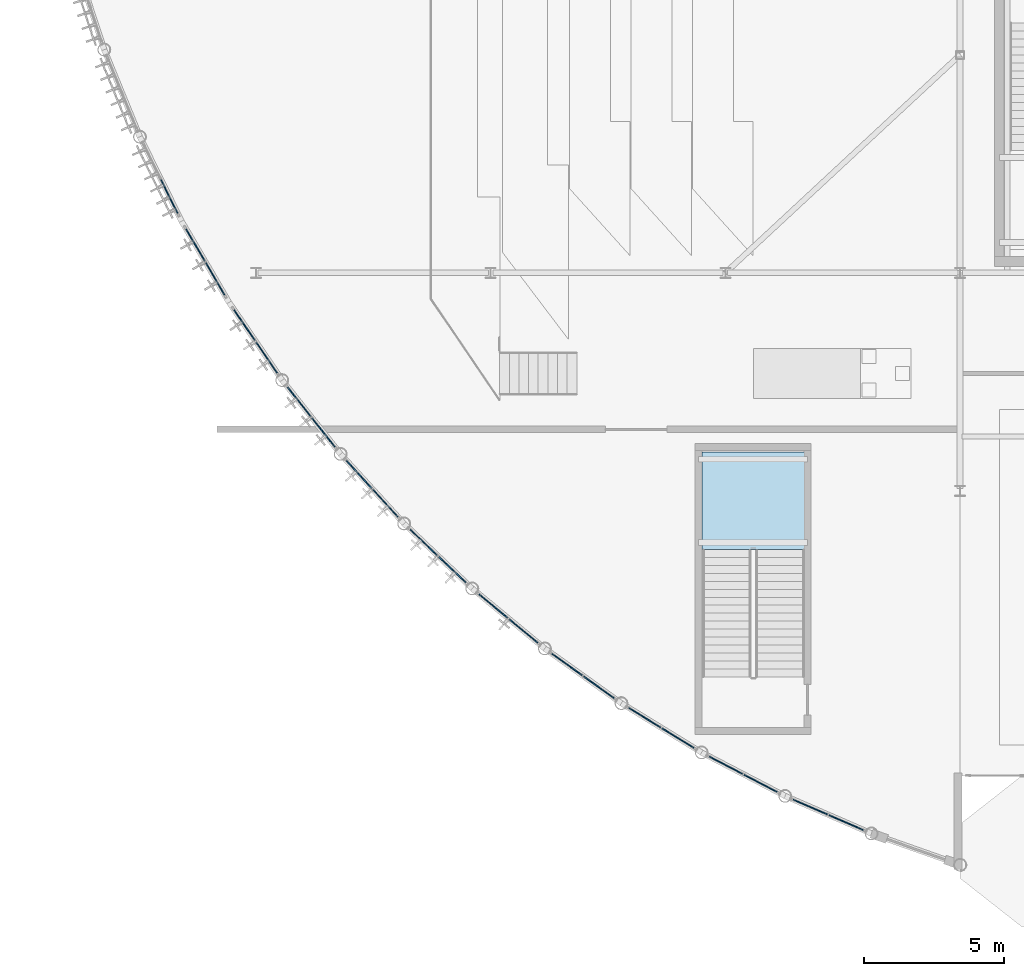
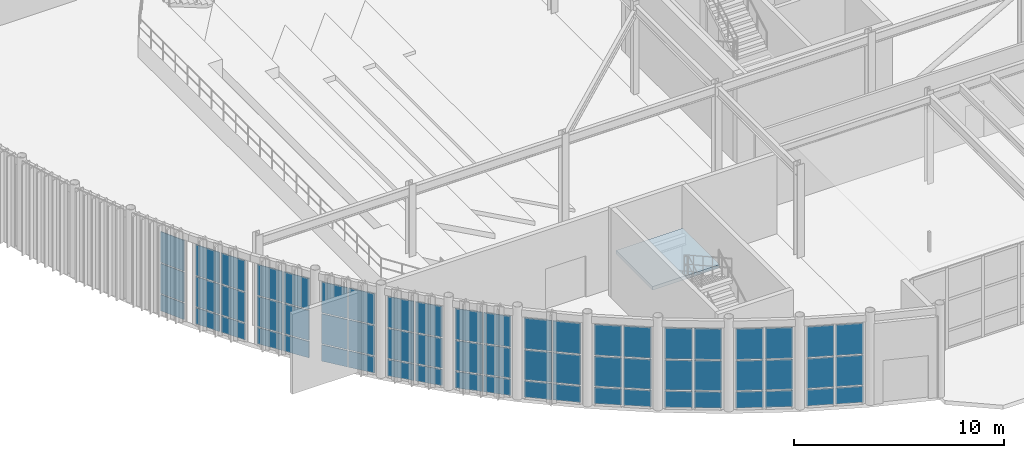
# One storey, part 54 of 87: 63 plates, 1 slab, 12 elements without a shape of their own.
"""IFC4 building model written with IfcOpenShell, lengths in metres."""

from ifc_helpers import new_model, si_unit, direction, frame, origin, origin_2d, place, context, subcontext, project, spatial, polyline, rectangle, outline, extrude, material, layer, layer_set, type_object, element, aggregate, save


model = new_model("IFC4")

# Units and contexts
model_context = context("Model", 3, precision=1e-05, world=origin(), true_north=direction((0.0, 1.0)))
body_context = subcontext(model_context, "Body", "Model", "MODEL_VIEW")
ifc_project = project(units=[si_unit("LENGTHUNIT", "METRE"), si_unit("AREAUNIT", "SQUARE_METRE"), si_unit("VOLUMEUNIT", "CUBIC_METRE"), si_unit("PLANEANGLEUNIT", "RADIAN"), si_unit("MASSUNIT", "GRAM", prefix="KILO")], contexts=[model_context])

# Site, building, storey
site_placement = place(None, origin())
site = spatial("IfcSite", under=ifc_project, at=site_placement, CompositionType="ELEMENT")
building_placement = place(site_placement, origin())
building = spatial("IfcBuilding", under=site, at=building_placement, Name="Selat Folded Stagehouse", CompositionType="ELEMENT")
storey_placement = place(building_placement, origin())
storey = spatial("IfcBuildingStorey", under=building, at=storey_placement, Name="L00", CompositionType="ELEMENT", Elevation=0.0)

# Curtain wall, plates
ifc_material_1 = material(Name="Aluminium 6063-T6", Category="aluminium")
ifc_layer_1 = layer(ifc_material_1, 0.219970703125)
ifc_layer_set_1 = layer_set([ifc_layer_1], Name="Aluminium 6063-T6")
curtain_wall_type = type_object("IfcCurtainWallType", Name="CW-DRM-HIGH", PredefinedType="NOTDEFINED", material=ifc_layer_set_1)
curtain_wall_1_placement = place(storey_placement, origin())
curtain_wall_1 = element("IfcCurtainWall", 1, at=curtain_wall_1_placement, inside=storey, type_object=curtain_wall_type, Name="L00 curtain wall CW-DRM-L00-08", PredefinedType="NOTDEFINED")
ifc_material_2 = material(Name="Solar-control acoustic triple glazing", Category="glass")
ifc_layer_2 = layer(ifc_material_2, 0.0400390625)
ifc_layer_set_2 = layer_set([ifc_layer_2], Name="Solar-control acoustic triple glazing")
plate_type = type_object("IfcPlateType", Name="CWP-GLZ-DGU40", PredefinedType="CURTAIN_PANEL", material=ifc_layer_set_2)
plate_1_placement = place(storey_placement, frame((5.2998046875, 26.128662109375, 0.06982421875), z_axis=(0.0, 0.0, 1.0), x_axis=(-0.442844653705, 0.896598356392, 0.0)))
plate_1 = element("IfcPlate", 2, at=plate_1_placement, type_object=plate_type, Name="CW-01 panel 1.1", PredefinedType="CURTAIN_PANEL", context=body_context, shape_type="SweptSolid", body=[
    extrude(rectangle(XDim=1.32958984375, YDim=0.0400390625, at=origin_2d()), origin(), (0.0, 0.0, 1.0), 0.945068359375),
])
plate_2_placement = place(storey_placement, frame((5.2998046875, 26.128662109375, 1.0849609375), z_axis=(0.0, 0.0, 1.0), x_axis=(-0.442844653705, 0.896598356392, 0.0)))
plate_2 = element("IfcPlate", 3, at=plate_2_placement, type_object=plate_type, Name="CW-01 panel 1.2", PredefinedType="CURTAIN_PANEL", context=body_context, shape_type="SweptSolid", body=[
    extrude(rectangle(XDim=1.32958984375, YDim=0.0400390625, at=origin_2d()), origin(), (0.0, 0.0, 1.0), 1.72998046875),
])
plate_3_placement = place(storey_placement, frame((5.2998046875, 26.128662109375, 2.88525390625), z_axis=(0.0, 0.0, 1.0), x_axis=(-0.442844653705, 0.896598356392, 0.0)))
plate_3 = element("IfcPlate", 4, at=plate_3_placement, type_object=plate_type, Name="CW-01 panel 1.3", PredefinedType="CURTAIN_PANEL", context=body_context, shape_type="SweptSolid", body=[
    extrude(rectangle(XDim=1.32958984375, YDim=0.0400390625, at=origin_2d()), origin(), (0.0, 0.0, 1.0), 1.784912109375),
])
aggregate(curtain_wall_1, [plate_1, plate_2, plate_3])

curtain_wall_2_placement = place(storey_placement, origin())
curtain_wall_2 = element("IfcCurtainWall", 5, at=curtain_wall_2_placement, inside=storey, type_object=curtain_wall_type, Name="L00 curtain wall CW-DRM-L00-09", PredefinedType="NOTDEFINED")
plate_4_placement = place(storey_placement, frame((6.939208984375, 23.187255859375, 0.06982421875), z_axis=(0.0, 0.0, 1.0), x_axis=(-0.504635839764, 0.863332305214, 0.0)))
plate_4 = element("IfcPlate", 6, at=plate_4_placement, type_object=plate_type, Name="CW-01 panel 1.1", PredefinedType="CURTAIN_PANEL", context=body_context, shape_type="SweptSolid", body=[
    extrude(rectangle(XDim=1.32958984375, YDim=0.0400390625, at=origin_2d()), origin(), (0.0, 0.0, 1.0), 0.945068359375),
])
plate_5_placement = place(storey_placement, frame((6.939208984375, 23.187255859375, 1.0849609375), z_axis=(0.0, 0.0, 1.0), x_axis=(-0.504635839764, 0.863332305214, 0.0)))
plate_5 = element("IfcPlate", 7, at=plate_5_placement, type_object=plate_type, Name="CW-01 panel 1.2", PredefinedType="CURTAIN_PANEL", context=body_context, shape_type="SweptSolid", body=[
    extrude(rectangle(XDim=1.32958984375, YDim=0.0400390625, at=origin_2d()), origin(), (0.0, 0.0, 1.0), 1.72998046875),
])
plate_6_placement = place(storey_placement, frame((6.939208984375, 23.187255859375, 2.88525390625), z_axis=(0.0, 0.0, 1.0), x_axis=(-0.504635839764, 0.863332305214, 0.0)))
plate_6 = element("IfcPlate", 8, at=plate_6_placement, type_object=plate_type, Name="CW-01 panel 1.3", PredefinedType="CURTAIN_PANEL", context=body_context, shape_type="SweptSolid", body=[
    extrude(rectangle(XDim=1.32958984375, YDim=0.0400390625, at=origin_2d()), origin(), (0.0, 0.0, 1.0), 1.784912109375),
])
plate_7_placement = place(storey_placement, frame((6.23291015625, 24.3955078125, 0.06982421875), z_axis=(0.0, 0.0, 1.0), x_axis=(-0.504635839764, 0.863332305214, 0.0)))
plate_7 = element("IfcPlate", 9, at=plate_7_placement, type_object=plate_type, Name="CW-01 panel 2.1", PredefinedType="CURTAIN_PANEL", context=body_context, shape_type="SweptSolid", body=[
    extrude(rectangle(XDim=1.32958984375, YDim=0.0400390625, at=origin_2d()), origin(), (0.0, 0.0, 1.0), 0.945068359375),
])
plate_8_placement = place(storey_placement, frame((6.23291015625, 24.3955078125, 1.0849609375), z_axis=(0.0, 0.0, 1.0), x_axis=(-0.504635839764, 0.863332305214, 0.0)))
plate_8 = element("IfcPlate", 10, at=plate_8_placement, type_object=plate_type, Name="CW-01 panel 2.2", PredefinedType="CURTAIN_PANEL", context=body_context, shape_type="SweptSolid", body=[
    extrude(rectangle(XDim=1.32958984375, YDim=0.0400390625, at=origin_2d()), origin(), (0.0, 0.0, 1.0), 1.72998046875),
])
plate_9_placement = place(storey_placement, frame((6.23291015625, 24.3955078125, 2.88525390625), z_axis=(0.0, 0.0, 1.0), x_axis=(-0.504635839764, 0.863332305214, 0.0)))
plate_9 = element("IfcPlate", 11, at=plate_9_placement, type_object=plate_type, Name="CW-01 panel 2.3", PredefinedType="CURTAIN_PANEL", context=body_context, shape_type="SweptSolid", body=[
    extrude(rectangle(XDim=1.32958984375, YDim=0.0400390625, at=origin_2d()), origin(), (0.0, 0.0, 1.0), 1.784912109375),
])
aggregate(curtain_wall_2, [plate_4, plate_5, plate_6, plate_7, plate_8, plate_9])

curtain_wall_3_placement = place(storey_placement, origin())
curtain_wall_3 = element("IfcCurtainWall", 12, at=curtain_wall_3_placement, inside=storey, type_object=curtain_wall_type, Name="L00 curtain wall CW-DRM-L00-10", PredefinedType="NOTDEFINED")
plate_10_placement = place(storey_placement, frame((8.78076171875, 20.3681640625, 0.06982421875), z_axis=(0.0, 0.0, 1.0), x_axis=(-0.563947732504, 0.825810483709, 0.0)))
plate_10 = element("IfcPlate", 13, at=plate_10_placement, type_object=plate_type, Name="CW-01 panel 1.1", PredefinedType="CURTAIN_PANEL", context=body_context, shape_type="SweptSolid", body=[
    extrude(rectangle(XDim=1.32958984375, YDim=0.0400390625, at=origin_2d()), origin(), (0.0, 0.0, 1.0), 0.945068359375),
])
plate_11_placement = place(storey_placement, frame((8.78076171875, 20.3681640625, 1.0849609375), z_axis=(0.0, 0.0, 1.0), x_axis=(-0.563947732504, 0.825810483709, 0.0)))
plate_11 = element("IfcPlate", 14, at=plate_11_placement, type_object=plate_type, Name="CW-01 panel 1.2", PredefinedType="CURTAIN_PANEL", context=body_context, shape_type="SweptSolid", body=[
    extrude(rectangle(XDim=1.32958984375, YDim=0.0400390625, at=origin_2d()), origin(), (0.0, 0.0, 1.0), 1.72998046875),
])
plate_12_placement = place(storey_placement, frame((8.78076171875, 20.3681640625, 2.88525390625), z_axis=(0.0, 0.0, 1.0), x_axis=(-0.563947732504, 0.825810483709, 0.0)))
plate_12 = element("IfcPlate", 15, at=plate_12_placement, type_object=plate_type, Name="CW-01 panel 1.3", PredefinedType="CURTAIN_PANEL", context=body_context, shape_type="SweptSolid", body=[
    extrude(rectangle(XDim=1.32958984375, YDim=0.0400390625, at=origin_2d()), origin(), (0.0, 0.0, 1.0), 1.784912109375),
])
plate_13_placement = place(storey_placement, frame((7.991455078125, 21.52392578125, 0.06982421875), z_axis=(0.0, 0.0, 1.0), x_axis=(-0.563947732504, 0.825810483709, 0.0)))
plate_13 = element("IfcPlate", 16, at=plate_13_placement, type_object=plate_type, Name="CW-01 panel 2.1", PredefinedType="CURTAIN_PANEL", context=body_context, shape_type="SweptSolid", body=[
    extrude(rectangle(XDim=1.32958984375, YDim=0.0400390625, at=origin_2d()), origin(), (0.0, 0.0, 1.0), 0.945068359375),
])
plate_14_placement = place(storey_placement, frame((7.991455078125, 21.52392578125, 1.0849609375), z_axis=(0.0, 0.0, 1.0), x_axis=(-0.563947732504, 0.825810483709, 0.0)))
plate_14 = element("IfcPlate", 17, at=plate_14_placement, type_object=plate_type, Name="CW-01 panel 2.2", PredefinedType="CURTAIN_PANEL", context=body_context, shape_type="SweptSolid", body=[
    extrude(rectangle(XDim=1.32958984375, YDim=0.0400390625, at=origin_2d()), origin(), (0.0, 0.0, 1.0), 1.72998046875),
])
plate_15_placement = place(storey_placement, frame((7.991455078125, 21.52392578125, 2.88525390625), z_axis=(0.0, 0.0, 1.0), x_axis=(-0.563947732504, 0.825810483709, 0.0)))
plate_15 = element("IfcPlate", 18, at=plate_15_placement, type_object=plate_type, Name="CW-01 panel 2.3", PredefinedType="CURTAIN_PANEL", context=body_context, shape_type="SweptSolid", body=[
    extrude(rectangle(XDim=1.32958984375, YDim=0.0400390625, at=origin_2d()), origin(), (0.0, 0.0, 1.0), 1.784912109375),
])
aggregate(curtain_wall_3, [plate_10, plate_11, plate_12, plate_13, plate_14, plate_15])

curtain_wall_4_placement = place(storey_placement, origin())
curtain_wall_4 = element("IfcCurtainWall", 19, at=curtain_wall_4_placement, inside=storey, type_object=curtain_wall_type, Name="L00 curtain wall CW-DRM-L00-11", PredefinedType="NOTDEFINED")
plate_16_placement = place(storey_placement, frame((10.815673828125, 17.685302734375, 0.06982421875), z_axis=(0.0, 0.0, 1.0), x_axis=(-0.620533301992, 0.784180094825, 0.0)))
plate_16 = element("IfcPlate", 20, at=plate_16_placement, type_object=plate_type, Name="CW-01 panel 1.1", PredefinedType="CURTAIN_PANEL", context=body_context, shape_type="SweptSolid", body=[
    extrude(rectangle(XDim=1.32958984375, YDim=0.0400390625, at=origin_2d()), origin(), (0.0, 0.0, 1.0), 0.945068359375),
])
plate_17_placement = place(storey_placement, frame((10.815673828125, 17.685302734375, 1.0849609375), z_axis=(0.0, 0.0, 1.0), x_axis=(-0.620533301992, 0.784180094825, 0.0)))
plate_17 = element("IfcPlate", 21, at=plate_17_placement, type_object=plate_type, Name="CW-01 panel 1.2", PredefinedType="CURTAIN_PANEL", context=body_context, shape_type="SweptSolid", body=[
    extrude(rectangle(XDim=1.32958984375, YDim=0.0400390625, at=origin_2d()), origin(), (0.0, 0.0, 1.0), 1.72998046875),
])
plate_18_placement = place(storey_placement, frame((10.815673828125, 17.685302734375, 2.88525390625), z_axis=(0.0, 0.0, 1.0), x_axis=(-0.620533301992, 0.784180094825, 0.0)))
plate_18 = element("IfcPlate", 22, at=plate_18_placement, type_object=plate_type, Name="CW-01 panel 1.3", PredefinedType="CURTAIN_PANEL", context=body_context, shape_type="SweptSolid", body=[
    extrude(rectangle(XDim=1.32958984375, YDim=0.0400390625, at=origin_2d()), origin(), (0.0, 0.0, 1.0), 1.784912109375),
])
plate_19_placement = place(storey_placement, frame((9.947265625, 18.78271484375, 0.06982421875), z_axis=(0.0, 0.0, 1.0), x_axis=(-0.620533301992, 0.784180094825, 0.0)))
plate_19 = element("IfcPlate", 23, at=plate_19_placement, type_object=plate_type, Name="CW-01 panel 2.1", PredefinedType="CURTAIN_PANEL", context=body_context, shape_type="SweptSolid", body=[
    extrude(rectangle(XDim=1.32958984375, YDim=0.0400390625, at=origin_2d()), origin(), (0.0, 0.0, 1.0), 0.945068359375),
])
plate_20_placement = place(storey_placement, frame((9.947265625, 18.78271484375, 1.0849609375), z_axis=(0.0, 0.0, 1.0), x_axis=(-0.620533301992, 0.784180094825, 0.0)))
plate_20 = element("IfcPlate", 24, at=plate_20_placement, type_object=plate_type, Name="CW-01 panel 2.2", PredefinedType="CURTAIN_PANEL", context=body_context, shape_type="SweptSolid", body=[
    extrude(rectangle(XDim=1.32958984375, YDim=0.0400390625, at=origin_2d()), origin(), (0.0, 0.0, 1.0), 1.72998046875),
])
plate_21_placement = place(storey_placement, frame((9.947265625, 18.78271484375, 2.88525390625), z_axis=(0.0, 0.0, 1.0), x_axis=(-0.620533301992, 0.784180094825, 0.0)))
plate_21 = element("IfcPlate", 25, at=plate_21_placement, type_object=plate_type, Name="CW-01 panel 2.3", PredefinedType="CURTAIN_PANEL", context=body_context, shape_type="SweptSolid", body=[
    extrude(rectangle(XDim=1.32958984375, YDim=0.0400390625, at=origin_2d()), origin(), (0.0, 0.0, 1.0), 1.784912109375),
])
aggregate(curtain_wall_4, [plate_16, plate_17, plate_18, plate_19, plate_20, plate_21])

curtain_wall_5_placement = place(storey_placement, origin())
curtain_wall_5 = element("IfcCurtainWall", 26, at=curtain_wall_5_placement, inside=storey, type_object=curtain_wall_type, Name="L00 curtain wall CW-DRM-L00-12", PredefinedType="NOTDEFINED")
plate_22_placement = place(storey_placement, frame((13.03369140625, 15.15185546875, 0.06982421875), z_axis=(0.0, 0.0, 1.0), x_axis=(-0.674002369336, 0.738729183213, 0.0)))
plate_22 = element("IfcPlate", 27, at=plate_22_placement, type_object=plate_type, Name="CW-01 panel 1.1", PredefinedType="CURTAIN_PANEL", context=body_context, shape_type="SweptSolid", body=[
    extrude(rectangle(XDim=1.32958984375, YDim=0.0400390625, at=origin_2d()), origin(), (0.0, 0.0, 1.0), 0.945068359375),
])
plate_23_placement = place(storey_placement, frame((13.03369140625, 15.15185546875, 1.0849609375), z_axis=(0.0, 0.0, 1.0), x_axis=(-0.674002369336, 0.738729183213, 0.0)))
plate_23 = element("IfcPlate", 28, at=plate_23_placement, type_object=plate_type, Name="CW-01 panel 1.2", PredefinedType="CURTAIN_PANEL", context=body_context, shape_type="SweptSolid", body=[
    extrude(rectangle(XDim=1.32958984375, YDim=0.0400390625, at=origin_2d()), origin(), (0.0, 0.0, 1.0), 1.72998046875),
])
plate_24_placement = place(storey_placement, frame((13.03369140625, 15.15185546875, 2.88525390625), z_axis=(0.0, 0.0, 1.0), x_axis=(-0.674002369336, 0.738729183213, 0.0)))
plate_24 = element("IfcPlate", 29, at=plate_24_placement, type_object=plate_type, Name="CW-01 panel 1.3", PredefinedType="CURTAIN_PANEL", context=body_context, shape_type="SweptSolid", body=[
    extrude(rectangle(XDim=1.32958984375, YDim=0.0400390625, at=origin_2d()), origin(), (0.0, 0.0, 1.0), 1.784912109375),
])
plate_25_placement = place(storey_placement, frame((12.09033203125, 16.185546875, 0.06982421875), z_axis=(0.0, 0.0, 1.0), x_axis=(-0.674002369336, 0.738729183213, 0.0)))
plate_25 = element("IfcPlate", 30, at=plate_25_placement, type_object=plate_type, Name="CW-01 panel 2.1", PredefinedType="CURTAIN_PANEL", context=body_context, shape_type="SweptSolid", body=[
    extrude(rectangle(XDim=1.32958984375, YDim=0.0400390625, at=origin_2d()), origin(), (0.0, 0.0, 1.0), 0.945068359375),
])
plate_26_placement = place(storey_placement, frame((12.09033203125, 16.185546875, 1.0849609375), z_axis=(0.0, 0.0, 1.0), x_axis=(-0.674002369336, 0.738729183213, 0.0)))
plate_26 = element("IfcPlate", 31, at=plate_26_placement, type_object=plate_type, Name="CW-01 panel 2.2", PredefinedType="CURTAIN_PANEL", context=body_context, shape_type="SweptSolid", body=[
    extrude(rectangle(XDim=1.32958984375, YDim=0.0400390625, at=origin_2d()), origin(), (0.0, 0.0, 1.0), 1.72998046875),
])
plate_27_placement = place(storey_placement, frame((12.09033203125, 16.185546875, 2.88525390625), z_axis=(0.0, 0.0, 1.0), x_axis=(-0.674002369336, 0.738729183213, 0.0)))
plate_27 = element("IfcPlate", 32, at=plate_27_placement, type_object=plate_type, Name="CW-01 panel 2.3", PredefinedType="CURTAIN_PANEL", context=body_context, shape_type="SweptSolid", body=[
    extrude(rectangle(XDim=1.32958984375, YDim=0.0400390625, at=origin_2d()), origin(), (0.0, 0.0, 1.0), 1.784912109375),
])
aggregate(curtain_wall_5, [plate_22, plate_23, plate_24, plate_25, plate_26, plate_27])

curtain_wall_6_placement = place(storey_placement, origin())
curtain_wall_6 = element("IfcCurtainWall", 33, at=curtain_wall_6_placement, inside=storey, type_object=curtain_wall_type, Name="L00 curtain wall CW-DRM-L00-13", PredefinedType="NOTDEFINED")
plate_28_placement = place(storey_placement, frame((15.423828125, 12.780029296875, 0.06982421875), z_axis=(0.0, 0.0, 1.0), x_axis=(-0.724132128869, 0.689661264636, 0.0)))
plate_28 = element("IfcPlate", 34, at=plate_28_placement, type_object=plate_type, Name="CW-01 panel 1.1", PredefinedType="CURTAIN_PANEL", context=body_context, shape_type="SweptSolid", body=[
    extrude(rectangle(XDim=1.32958984375, YDim=0.0400390625, at=origin_2d()), origin(), (0.0, 0.0, 1.0), 0.945068359375),
])
plate_29_placement = place(storey_placement, frame((15.423828125, 12.780029296875, 1.0849609375), z_axis=(0.0, 0.0, 1.0), x_axis=(-0.724132128869, 0.689661264636, 0.0)))
plate_29 = element("IfcPlate", 35, at=plate_29_placement, type_object=plate_type, Name="CW-01 panel 1.2", PredefinedType="CURTAIN_PANEL", context=body_context, shape_type="SweptSolid", body=[
    extrude(rectangle(XDim=1.32958984375, YDim=0.0400390625, at=origin_2d()), origin(), (0.0, 0.0, 1.0), 1.72998046875),
])
plate_30_placement = place(storey_placement, frame((15.423828125, 12.780029296875, 2.88525390625), z_axis=(0.0, 0.0, 1.0), x_axis=(-0.724132128869, 0.689661264636, 0.0)))
plate_30 = element("IfcPlate", 36, at=plate_30_placement, type_object=plate_type, Name="CW-01 panel 1.3", PredefinedType="CURTAIN_PANEL", context=body_context, shape_type="SweptSolid", body=[
    extrude(rectangle(XDim=1.32958984375, YDim=0.0400390625, at=origin_2d()), origin(), (0.0, 0.0, 1.0), 1.784912109375),
])
plate_31_placement = place(storey_placement, frame((14.410400390625, 13.7451171875, 0.06982421875), z_axis=(0.0, 0.0, 1.0), x_axis=(-0.724132128869, 0.689661264636, 0.0)))
plate_31 = element("IfcPlate", 37, at=plate_31_placement, type_object=plate_type, Name="CW-01 panel 2.1", PredefinedType="CURTAIN_PANEL", context=body_context, shape_type="SweptSolid", body=[
    extrude(rectangle(XDim=1.32958984375, YDim=0.0400390625, at=origin_2d()), origin(), (0.0, 0.0, 1.0), 0.945068359375),
])
plate_32_placement = place(storey_placement, frame((14.410400390625, 13.7451171875, 1.0849609375), z_axis=(0.0, 0.0, 1.0), x_axis=(-0.724132128869, 0.689661264636, 0.0)))
plate_32 = element("IfcPlate", 38, at=plate_32_placement, type_object=plate_type, Name="CW-01 panel 2.2", PredefinedType="CURTAIN_PANEL", context=body_context, shape_type="SweptSolid", body=[
    extrude(rectangle(XDim=1.32958984375, YDim=0.0400390625, at=origin_2d()), origin(), (0.0, 0.0, 1.0), 1.72998046875),
])
plate_33_placement = place(storey_placement, frame((14.410400390625, 13.7451171875, 2.88525390625), z_axis=(0.0, 0.0, 1.0), x_axis=(-0.724132128869, 0.689661264636, 0.0)))
plate_33 = element("IfcPlate", 39, at=plate_33_placement, type_object=plate_type, Name="CW-01 panel 2.3", PredefinedType="CURTAIN_PANEL", context=body_context, shape_type="SweptSolid", body=[
    extrude(rectangle(XDim=1.32958984375, YDim=0.0400390625, at=origin_2d()), origin(), (0.0, 0.0, 1.0), 1.784912109375),
])
aggregate(curtain_wall_6, [plate_28, plate_29, plate_30, plate_31, plate_32, plate_33])

curtain_wall_7_placement = place(storey_placement, origin())
curtain_wall_7 = element("IfcCurtainWall", 40, at=curtain_wall_7_placement, inside=storey, type_object=curtain_wall_type, Name="L00 curtain wall CW-DRM-L00-14", PredefinedType="NOTDEFINED")
plate_34_placement = place(storey_placement, frame((17.974609375, 10.581787109375, 0.06982421875), z_axis=(0.0, 0.0, 1.0), x_axis=(-0.770746654899, 0.637141737734, 0.0)))
plate_34 = element("IfcPlate", 41, at=plate_34_placement, type_object=plate_type, Name="CW-01 panel 1.1", PredefinedType="CURTAIN_PANEL", context=body_context, shape_type="SweptSolid", body=[
    extrude(rectangle(XDim=1.329345703125, YDim=0.0400390625, at=origin_2d()), origin(), (0.0, 0.0, 1.0), 0.945068359375),
])
plate_35_placement = place(storey_placement, frame((17.974609375, 10.581787109375, 1.0849609375), z_axis=(0.0, 0.0, 1.0), x_axis=(-0.770746654899, 0.637141737734, 0.0)))
plate_35 = element("IfcPlate", 42, at=plate_35_placement, type_object=plate_type, Name="CW-01 panel 1.2", PredefinedType="CURTAIN_PANEL", context=body_context, shape_type="SweptSolid", body=[
    extrude(rectangle(XDim=1.329345703125, YDim=0.0400390625, at=origin_2d()), origin(), (0.0, 0.0, 1.0), 1.72998046875),
])
plate_36_placement = place(storey_placement, frame((17.974609375, 10.581787109375, 2.88525390625), z_axis=(0.0, 0.0, 1.0), x_axis=(-0.770746654899, 0.637141737734, 0.0)))
plate_36 = element("IfcPlate", 43, at=plate_36_placement, type_object=plate_type, Name="CW-01 panel 1.3", PredefinedType="CURTAIN_PANEL", context=body_context, shape_type="SweptSolid", body=[
    extrude(rectangle(XDim=1.329345703125, YDim=0.0400390625, at=origin_2d()), origin(), (0.0, 0.0, 1.0), 1.784912109375),
])
plate_37_placement = place(storey_placement, frame((16.89599609375, 11.473388671875, 0.06982421875), z_axis=(0.0, 0.0, 1.0), x_axis=(-0.770746654899, 0.637141737734, 0.0)))
plate_37 = element("IfcPlate", 44, at=plate_37_placement, type_object=plate_type, Name="CW-01 panel 2.1", PredefinedType="CURTAIN_PANEL", context=body_context, shape_type="SweptSolid", body=[
    extrude(rectangle(XDim=1.329345703125, YDim=0.0400390625, at=origin_2d()), origin(), (0.0, 0.0, 1.0), 0.945068359375),
])
plate_38_placement = place(storey_placement, frame((16.89599609375, 11.473388671875, 1.0849609375), z_axis=(0.0, 0.0, 1.0), x_axis=(-0.770746654899, 0.637141737734, 0.0)))
plate_38 = element("IfcPlate", 45, at=plate_38_placement, type_object=plate_type, Name="CW-01 panel 2.2", PredefinedType="CURTAIN_PANEL", context=body_context, shape_type="SweptSolid", body=[
    extrude(rectangle(XDim=1.329345703125, YDim=0.0400390625, at=origin_2d()), origin(), (0.0, 0.0, 1.0), 1.72998046875),
])
plate_39_placement = place(storey_placement, frame((16.89599609375, 11.473388671875, 2.88525390625), z_axis=(0.0, 0.0, 1.0), x_axis=(-0.770746654899, 0.637141737734, 0.0)))
plate_39 = element("IfcPlate", 46, at=plate_39_placement, type_object=plate_type, Name="CW-01 panel 2.3", PredefinedType="CURTAIN_PANEL", context=body_context, shape_type="SweptSolid", body=[
    extrude(rectangle(XDim=1.329345703125, YDim=0.0400390625, at=origin_2d()), origin(), (0.0, 0.0, 1.0), 1.784912109375),
])
aggregate(curtain_wall_7, [plate_34, plate_35, plate_36, plate_37, plate_38, plate_39])

curtain_wall_8_placement = place(storey_placement, origin())
curtain_wall_8 = element("IfcCurtainWall", 47, at=curtain_wall_8_placement, inside=storey, type_object=curtain_wall_type, Name="L00 curtain wall CW-DRM-L00-15", PredefinedType="NOTDEFINED")
plate_40_placement = place(storey_placement, frame((20.67333984375, 8.56787109375, 0.06982421875), z_axis=(0.0, 0.0, 1.0), x_axis=(-0.813526170861, 0.581528304836, 0.0)))
plate_40 = element("IfcPlate", 48, at=plate_40_placement, type_object=plate_type, Name="CW-01 panel 1.1", PredefinedType="CURTAIN_PANEL", context=body_context, shape_type="SweptSolid", body=[
    extrude(rectangle(XDim=1.32958984375, YDim=0.0400390625, at=origin_2d()), origin(), (0.0, 0.0, 1.0), 0.945068359375),
])
plate_41_placement = place(storey_placement, frame((20.67333984375, 8.56787109375, 1.0849609375), z_axis=(0.0, 0.0, 1.0), x_axis=(-0.813526170861, 0.581528304836, 0.0)))
plate_41 = element("IfcPlate", 49, at=plate_41_placement, type_object=plate_type, Name="CW-01 panel 1.2", PredefinedType="CURTAIN_PANEL", context=body_context, shape_type="SweptSolid", body=[
    extrude(rectangle(XDim=1.32958984375, YDim=0.0400390625, at=origin_2d()), origin(), (0.0, 0.0, 1.0), 1.72998046875),
])
plate_42_placement = place(storey_placement, frame((20.67333984375, 8.56787109375, 2.88525390625), z_axis=(0.0, 0.0, 1.0), x_axis=(-0.813526170861, 0.581528304836, 0.0)))
plate_42 = element("IfcPlate", 50, at=plate_42_placement, type_object=plate_type, Name="CW-01 panel 1.3", PredefinedType="CURTAIN_PANEL", context=body_context, shape_type="SweptSolid", body=[
    extrude(rectangle(XDim=1.32958984375, YDim=0.0400390625, at=origin_2d()), origin(), (0.0, 0.0, 1.0), 1.784912109375),
])
plate_43_placement = place(storey_placement, frame((19.53466796875, 9.381591796875, 0.06982421875), z_axis=(0.0, 0.0, 1.0), x_axis=(-0.813526170861, 0.581528304836, 0.0)))
plate_43 = element("IfcPlate", 51, at=plate_43_placement, type_object=plate_type, Name="CW-01 panel 2.1", PredefinedType="CURTAIN_PANEL", context=body_context, shape_type="SweptSolid", body=[
    extrude(rectangle(XDim=1.32958984375, YDim=0.0400390625, at=origin_2d()), origin(), (0.0, 0.0, 1.0), 0.945068359375),
])
plate_44_placement = place(storey_placement, frame((19.53466796875, 9.381591796875, 1.0849609375), z_axis=(0.0, 0.0, 1.0), x_axis=(-0.813526170861, 0.581528304836, 0.0)))
plate_44 = element("IfcPlate", 52, at=plate_44_placement, type_object=plate_type, Name="CW-01 panel 2.2", PredefinedType="CURTAIN_PANEL", context=body_context, shape_type="SweptSolid", body=[
    extrude(rectangle(XDim=1.32958984375, YDim=0.0400390625, at=origin_2d()), origin(), (0.0, 0.0, 1.0), 1.72998046875),
])
plate_45_placement = place(storey_placement, frame((19.53466796875, 9.381591796875, 2.88525390625), z_axis=(0.0, 0.0, 1.0), x_axis=(-0.813526170861, 0.581528304836, 0.0)))
plate_45 = element("IfcPlate", 53, at=plate_45_placement, type_object=plate_type, Name="CW-01 panel 2.3", PredefinedType="CURTAIN_PANEL", context=body_context, shape_type="SweptSolid", body=[
    extrude(rectangle(XDim=1.32958984375, YDim=0.0400390625, at=origin_2d()), origin(), (0.0, 0.0, 1.0), 1.784912109375),
])
aggregate(curtain_wall_8, [plate_40, plate_41, plate_42, plate_43, plate_44, plate_45])

curtain_wall_9_placement = place(storey_placement, origin())
curtain_wall_9 = element("IfcCurtainWall", 54, at=curtain_wall_9_placement, inside=storey, type_object=curtain_wall_type, Name="L00 curtain wall CW-DRM-L00-16", PredefinedType="NOTDEFINED")
plate_46_placement = place(storey_placement, frame((23.506591796875, 6.748046875, 0.06982421875), z_axis=(0.0, 0.0, 1.0), x_axis=(-0.852317078277, 0.523025427755, 0.0)))
plate_46 = element("IfcPlate", 55, at=plate_46_placement, type_object=plate_type, Name="CW-01 panel 1.1", PredefinedType="CURTAIN_PANEL", context=body_context, shape_type="SweptSolid", body=[
    extrude(rectangle(XDim=1.329345703125, YDim=0.0400390625, at=origin_2d()), origin(), (0.0, 0.0, 1.0), 0.945068359375),
])
plate_47_placement = place(storey_placement, frame((23.506591796875, 6.748046875, 1.0849609375), z_axis=(0.0, 0.0, 1.0), x_axis=(-0.852317078277, 0.523025427755, 0.0)))
plate_47 = element("IfcPlate", 56, at=plate_47_placement, type_object=plate_type, Name="CW-01 panel 1.2", PredefinedType="CURTAIN_PANEL", context=body_context, shape_type="SweptSolid", body=[
    extrude(rectangle(XDim=1.329345703125, YDim=0.0400390625, at=origin_2d()), origin(), (0.0, 0.0, 1.0), 1.72998046875),
])
plate_48_placement = place(storey_placement, frame((23.506591796875, 6.748046875, 2.88525390625), z_axis=(0.0, 0.0, 1.0), x_axis=(-0.852317078277, 0.523025427755, 0.0)))
plate_48 = element("IfcPlate", 57, at=plate_48_placement, type_object=plate_type, Name="CW-01 panel 1.3", PredefinedType="CURTAIN_PANEL", context=body_context, shape_type="SweptSolid", body=[
    extrude(rectangle(XDim=1.329345703125, YDim=0.0400390625, at=origin_2d()), origin(), (0.0, 0.0, 1.0), 1.784912109375),
])
plate_49_placement = place(storey_placement, frame((22.313720703125, 7.47998046875, 0.06982421875), z_axis=(0.0, 0.0, 1.0), x_axis=(-0.852317078277, 0.523025427755, 0.0)))
plate_49 = element("IfcPlate", 58, at=plate_49_placement, type_object=plate_type, Name="CW-01 panel 2.1", PredefinedType="CURTAIN_PANEL", context=body_context, shape_type="SweptSolid", body=[
    extrude(rectangle(XDim=1.329345703125, YDim=0.0400390625, at=origin_2d()), origin(), (0.0, 0.0, 1.0), 0.945068359375),
])
plate_50_placement = place(storey_placement, frame((22.313720703125, 7.47998046875, 1.0849609375), z_axis=(0.0, 0.0, 1.0), x_axis=(-0.852317078277, 0.523025427755, 0.0)))
plate_50 = element("IfcPlate", 59, at=plate_50_placement, type_object=plate_type, Name="CW-01 panel 2.2", PredefinedType="CURTAIN_PANEL", context=body_context, shape_type="SweptSolid", body=[
    extrude(rectangle(XDim=1.329345703125, YDim=0.0400390625, at=origin_2d()), origin(), (0.0, 0.0, 1.0), 1.72998046875),
])
plate_51_placement = place(storey_placement, frame((22.313720703125, 7.47998046875, 2.88525390625), z_axis=(0.0, 0.0, 1.0), x_axis=(-0.852317078277, 0.523025427755, 0.0)))
plate_51 = element("IfcPlate", 60, at=plate_51_placement, type_object=plate_type, Name="CW-01 panel 2.3", PredefinedType="CURTAIN_PANEL", context=body_context, shape_type="SweptSolid", body=[
    extrude(rectangle(XDim=1.329345703125, YDim=0.0400390625, at=origin_2d()), origin(), (0.0, 0.0, 1.0), 1.784912109375),
])
aggregate(curtain_wall_9, [plate_46, plate_47, plate_48, plate_49, plate_50, plate_51])

curtain_wall_10_placement = place(storey_placement, origin())
curtain_wall_10 = element("IfcCurtainWall", 61, at=curtain_wall_10_placement, inside=storey, type_object=curtain_wall_type, Name="L00 curtain wall CW-DRM-L00-17", PredefinedType="NOTDEFINED")
plate_52_placement = place(storey_placement, frame((26.46044921875, 5.131591796875, 0.06982421875), z_axis=(0.0, 0.0, 1.0), x_axis=(-0.886915869147, 0.461930991659, 0.0)))
plate_52 = element("IfcPlate", 62, at=plate_52_placement, type_object=plate_type, Name="CW-01 panel 1.1", PredefinedType="CURTAIN_PANEL", context=body_context, shape_type="SweptSolid", body=[
    extrude(rectangle(XDim=1.32958984375, YDim=0.0400390625, at=origin_2d()), origin(), (0.0, 0.0, 1.0), 0.945068359375),
])
plate_53_placement = place(storey_placement, frame((26.46044921875, 5.131591796875, 1.0849609375), z_axis=(0.0, 0.0, 1.0), x_axis=(-0.886915869147, 0.461930991659, 0.0)))
plate_53 = element("IfcPlate", 63, at=plate_53_placement, type_object=plate_type, Name="CW-01 panel 1.2", PredefinedType="CURTAIN_PANEL", context=body_context, shape_type="SweptSolid", body=[
    extrude(rectangle(XDim=1.32958984375, YDim=0.0400390625, at=origin_2d()), origin(), (0.0, 0.0, 1.0), 1.72998046875),
])
plate_54_placement = place(storey_placement, frame((26.46044921875, 5.131591796875, 2.88525390625), z_axis=(0.0, 0.0, 1.0), x_axis=(-0.886915869147, 0.461930991659, 0.0)))
plate_54 = element("IfcPlate", 64, at=plate_54_placement, type_object=plate_type, Name="CW-01 panel 1.3", PredefinedType="CURTAIN_PANEL", context=body_context, shape_type="SweptSolid", body=[
    extrude(rectangle(XDim=1.32958984375, YDim=0.0400390625, at=origin_2d()), origin(), (0.0, 0.0, 1.0), 1.784912109375),
])
plate_55_placement = place(storey_placement, frame((25.21923828125, 5.778076171875, 0.06982421875), z_axis=(0.0, 0.0, 1.0), x_axis=(-0.886915869147, 0.461930991659, 0.0)))
plate_55 = element("IfcPlate", 65, at=plate_55_placement, type_object=plate_type, Name="CW-01 panel 2.1", PredefinedType="CURTAIN_PANEL", context=body_context, shape_type="SweptSolid", body=[
    extrude(rectangle(XDim=1.32958984375, YDim=0.0400390625, at=origin_2d()), origin(), (0.0, 0.0, 1.0), 0.945068359375),
])
plate_56_placement = place(storey_placement, frame((25.21923828125, 5.778076171875, 1.0849609375), z_axis=(0.0, 0.0, 1.0), x_axis=(-0.886915869147, 0.461930991659, 0.0)))
plate_56 = element("IfcPlate", 66, at=plate_56_placement, type_object=plate_type, Name="CW-01 panel 2.2", PredefinedType="CURTAIN_PANEL", context=body_context, shape_type="SweptSolid", body=[
    extrude(rectangle(XDim=1.32958984375, YDim=0.0400390625, at=origin_2d()), origin(), (0.0, 0.0, 1.0), 1.72998046875),
])
plate_57_placement = place(storey_placement, frame((25.21923828125, 5.778076171875, 2.88525390625), z_axis=(0.0, 0.0, 1.0), x_axis=(-0.886915869147, 0.461930991659, 0.0)))
plate_57 = element("IfcPlate", 67, at=plate_57_placement, type_object=plate_type, Name="CW-01 panel 2.3", PredefinedType="CURTAIN_PANEL", context=body_context, shape_type="SweptSolid", body=[
    extrude(rectangle(XDim=1.32958984375, YDim=0.0400390625, at=origin_2d()), origin(), (0.0, 0.0, 1.0), 1.784912109375),
])
aggregate(curtain_wall_10, [plate_52, plate_53, plate_54, plate_55, plate_56, plate_57])

curtain_wall_11_placement = place(storey_placement, origin())
curtain_wall_11 = element("IfcCurtainWall", 68, at=curtain_wall_11_placement, inside=storey, type_object=curtain_wall_type, Name="L00 curtain wall CW-DRM-L00-18", PredefinedType="NOTDEFINED")
plate_58_placement = place(storey_placement, frame((29.5205078125, 3.726318359375, 0.06982421875), z_axis=(0.0, 0.0, 1.0), x_axis=(-0.917133771915, 0.39857953336, 0.0)))
plate_58 = element("IfcPlate", 69, at=plate_58_placement, type_object=plate_type, Name="CW-01 panel 1.1", PredefinedType="CURTAIN_PANEL", context=body_context, shape_type="SweptSolid", body=[
    extrude(rectangle(XDim=1.32958984375, YDim=0.0400390625, at=origin_2d()), origin(), (0.0, 0.0, 1.0), 0.945068359375),
])
plate_59_placement = place(storey_placement, frame((29.5205078125, 3.726318359375, 1.0849609375), z_axis=(0.0, 0.0, 1.0), x_axis=(-0.917133771915, 0.39857953336, 0.0)))
plate_59 = element("IfcPlate", 70, at=plate_59_placement, type_object=plate_type, Name="CW-01 panel 1.2", PredefinedType="CURTAIN_PANEL", context=body_context, shape_type="SweptSolid", body=[
    extrude(rectangle(XDim=1.32958984375, YDim=0.0400390625, at=origin_2d()), origin(), (0.0, 0.0, 1.0), 1.72998046875),
])
plate_60_placement = place(storey_placement, frame((29.5205078125, 3.726318359375, 2.88525390625), z_axis=(0.0, 0.0, 1.0), x_axis=(-0.917133771915, 0.39857953336, 0.0)))
plate_60 = element("IfcPlate", 71, at=plate_60_placement, type_object=plate_type, Name="CW-01 panel 1.3", PredefinedType="CURTAIN_PANEL", context=body_context, shape_type="SweptSolid", body=[
    extrude(rectangle(XDim=1.32958984375, YDim=0.0400390625, at=origin_2d()), origin(), (0.0, 0.0, 1.0), 1.784912109375),
])
plate_61_placement = place(storey_placement, frame((28.237060546875, 4.2841796875, 0.06982421875), z_axis=(0.0, 0.0, 1.0), x_axis=(-0.917133771915, 0.39857953336, 0.0)))
plate_61 = element("IfcPlate", 72, at=plate_61_placement, type_object=plate_type, Name="CW-01 panel 2.1", PredefinedType="CURTAIN_PANEL", context=body_context, shape_type="SweptSolid", body=[
    extrude(rectangle(XDim=1.32958984375, YDim=0.0400390625, at=origin_2d()), origin(), (0.0, 0.0, 1.0), 0.945068359375),
])
plate_62_placement = place(storey_placement, frame((28.237060546875, 4.2841796875, 1.0849609375), z_axis=(0.0, 0.0, 1.0), x_axis=(-0.917133771915, 0.39857953336, 0.0)))
plate_62 = element("IfcPlate", 73, at=plate_62_placement, type_object=plate_type, Name="CW-01 panel 2.2", PredefinedType="CURTAIN_PANEL", context=body_context, shape_type="SweptSolid", body=[
    extrude(rectangle(XDim=1.32958984375, YDim=0.0400390625, at=origin_2d()), origin(), (0.0, 0.0, 1.0), 1.72998046875),
])
plate_63_placement = place(storey_placement, frame((28.237060546875, 4.2841796875, 2.88525390625), z_axis=(0.0, 0.0, 1.0), x_axis=(-0.917133771915, 0.39857953336, 0.0)))
plate_63 = element("IfcPlate", 74, at=plate_63_placement, type_object=plate_type, Name="CW-01 panel 2.3", PredefinedType="CURTAIN_PANEL", context=body_context, shape_type="SweptSolid", body=[
    extrude(rectangle(XDim=1.32958984375, YDim=0.0400390625, at=origin_2d()), origin(), (0.0, 0.0, 1.0), 1.784912109375),
])
aggregate(curtain_wall_11, [plate_58, plate_59, plate_60, plate_61, plate_62, plate_63])

# Stair, slab
ifc_material_3 = material(Name="Concrete C40/50", Category="concrete")
stair_type = type_object("IfcStairType", Name="STR-DOG-1760-34R", PredefinedType="HALF_TURN_STAIR", material=ifc_material_3)
stair_placement = place(storey_placement, origin())
stair = element("IfcStair", 75, at=stair_placement, inside=storey, type_object=stair_type, Name="L00 Main Drum Circle Stair ST-09", PredefinedType="HALF_TURN_STAIR")
ifc_layer_3 = layer(ifc_material_3, 0.199951171875)
ifc_layer_set_3 = layer_set([ifc_layer_3], Name="Concrete C40/50")
slab_type = type_object("IfcSlabType", Name="SLAB-STR-LDG-200", PredefinedType="LANDING", material=ifc_layer_set_3)
slab_placement = place(storey_placement, frame((0.0, 0.0, 2.5)))
slab = element("IfcSlab", 76, at=slab_placement, type_object=slab_type, Name="ST-1760-34R landing 1", PredefinedType="LANDING", context=body_context, shape_type="SweptSolid", body=[
    extrude(outline(polyline([(28.0400390625, 13.5), (28.0400390625, 16.97998046875), (24.360107421875, 16.97998046875), (24.360107421875, 13.5), (28.0400390625, 13.5)])), origin(), (0.0, 0.0, 1.0), 0.199951171875),
])
aggregate(stair, [slab])

save(model, "model.ifc")
